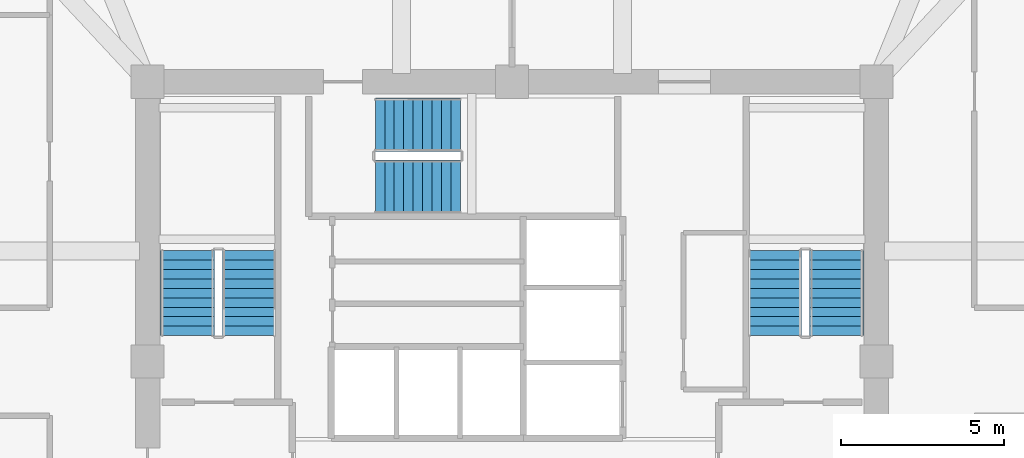
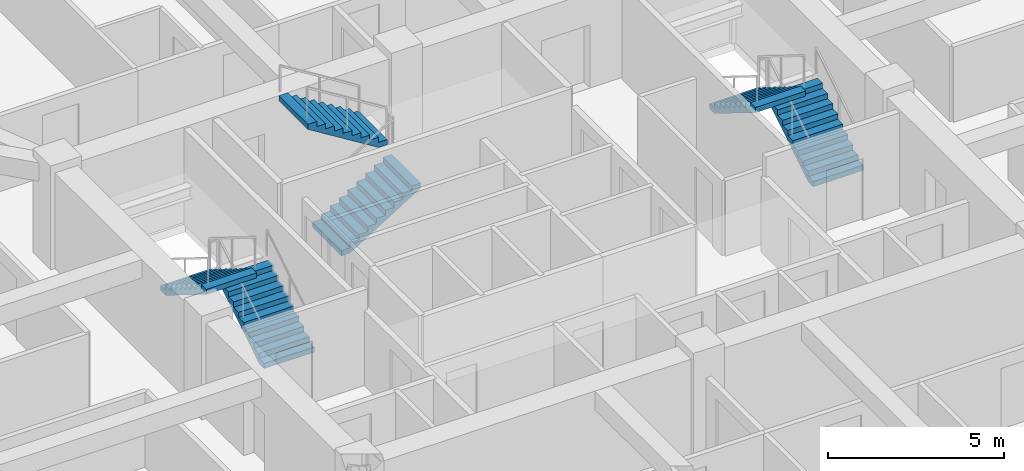
# One storey, part 11 of 13: 6 stair flights, 3 elements without a shape of their own.
"""IFC4 building model written with IfcOpenShell, lengths in metres."""

from ifc_helpers import new_model, si_unit, derived_unit, direction, frame, origin, place, context, subcontext, project, spatial, polyline, outline, extrude, material, type_object, element, aggregate, save


model = new_model("IFC4")

# Units and contexts
model_context = context("Model", 3, precision=1e-05, world=origin(), true_north=direction((0.0, 1.0)))
body_context = subcontext(model_context, "Body", "Model", "MODEL_VIEW")
ifc_project = project(units=[si_unit("LENGTHUNIT", "METRE"), si_unit("AREAUNIT", "SQUARE_METRE"), si_unit("VOLUMEUNIT", "CUBIC_METRE"), si_unit("PLANEANGLEUNIT", "RADIAN"), si_unit("MASSUNIT", "GRAM", prefix="KILO"), derived_unit("THERMALTRANSMITTANCEUNIT", [(si_unit("POWERUNIT", "WATT"), 1), (si_unit("LENGTHUNIT", "METRE"), -2), (si_unit("THERMODYNAMICTEMPERATUREUNIT", "KELVIN"), -1)])], contexts=[model_context])

# Site, building, storey
site_placement = place(None, origin())
site = spatial("IfcSite", under=ifc_project, at=site_placement, CompositionType="ELEMENT")
building_placement = place(site_placement, origin())
building = spatial("IfcBuilding", under=site, at=building_placement, Name="Koralith Skygarden Medical Center", CompositionType="ELEMENT")
storey_placement = place(building_placement, frame((0.0, 0.0, 142.02001953125)))
storey = spatial("IfcBuildingStorey", under=building, at=storey_placement, Name="L36", CompositionType="ELEMENT", Elevation=142.02001953125)

# Stair, stair flights
ifc_material = material(Name="Concrete C45/55", Category="concrete")
stair_type = type_object("IfcStairType", Name="Core Exit Dogleg Concrete Stair", PredefinedType="HALF_TURN_STAIR", material=ifc_material)
stair_1_placement = place(storey_placement, origin())
stair_1 = element("IfcStair", 1, at=stair_1_placement, inside=storey, type_object=stair_type, Name="L36 Smokeproof Exit Stair ST1", PredefinedType="HALF_TURN_STAIR")
stair_flight_type = type_object("IfcStairFlightType", Name="Core Exit Concrete Stair Flight 1650", PredefinedType="STRAIGHT", material=ifc_material)
stair_flight_1_placement = place(storey_placement, frame((28.925048828125, 26.699951171875, 0.0), z_axis=(0.0, 0.0, 1.0), x_axis=(0.0, 1.0, 0.0)))
stair_flight_1 = element("IfcStairFlight", 2, at=stair_flight_1_placement, type_object=stair_flight_type, Name="ST1 flight 1", NumberOfRisers=10, NumberOfTreads=9, PredefinedType="STRAIGHT", RiserHeight=0.18, TreadLength=0.29, context=body_context, shape_type="SweptSolid", body=[
    extrude(outline(polyline([(0.0, 0.0), (0.0, 0.179931640625), (0.2900390625, 0.179931640625), (0.2900390625, 0.360107421875), (0.580078125, 0.360107421875), (0.580078125, 0.5400390625), (0.8701171875, 0.5400390625), (0.8701171875, 0.719970703125), (1.159912109375, 0.719970703125), (1.159912109375, 0.89990234375), (1.449951171875, 0.89990234375), (1.449951171875, 1.080078125), (1.739990234375, 1.080078125), (1.739990234375, 1.260009765625), (2.030029296875, 1.260009765625), (2.030029296875, 1.43994140625), (2.320068359375, 1.43994140625), (2.320068359375, 1.6201171875), (2.610107421875, 1.6201171875), (2.610107421875, 1.800048828125), (2.610107421875, 1.443603515625), (0.2841796875, 0.0), (0.0, 0.0)])), frame((0.0, 0.824951171875, 0.0), z_axis=(0.0, -1.0, 0.0), x_axis=(1.0, 0.0, 0.0)), (0.0, 0.0, 1.0), 1.64990234375),
])
stair_flight_2_placement = place(storey_placement, frame((27.02490234375, 29.31005859375, 1.800048828125), z_axis=(0.0, 0.0, 1.0), x_axis=(0.0, -1.0, 0.0)))
stair_flight_2 = element("IfcStairFlight", 3, at=stair_flight_2_placement, type_object=stair_flight_type, Name="ST1 flight 2", NumberOfRisers=10, NumberOfTreads=9, PredefinedType="STRAIGHT", RiserHeight=0.18, TreadLength=0.29, context=body_context, shape_type="SweptSolid", body=[
    extrude(outline(polyline([(0.0, 0.0), (0.0, 0.179931640625), (0.2900390625, 0.179931640625), (0.2900390625, 0.360107421875), (0.580078125, 0.360107421875), (0.580078125, 0.5400390625), (0.8701171875, 0.5400390625), (0.8701171875, 0.719970703125), (1.159912109375, 0.719970703125), (1.159912109375, 0.89990234375), (1.449951171875, 0.89990234375), (1.449951171875, 1.080078125), (1.739990234375, 1.080078125), (1.739990234375, 1.260009765625), (2.030029296875, 1.260009765625), (2.030029296875, 1.43994140625), (2.320068359375, 1.43994140625), (2.320068359375, 1.6201171875), (2.610107421875, 1.6201171875), (2.610107421875, 1.800048828125), (2.610107421875, 1.443603515625), (0.2841796875, 0.0), (0.0, 0.0)])), frame((0.0, 0.824951171875, 0.0), z_axis=(0.0, -1.0, 0.0), x_axis=(1.0, 0.0, 0.0)), (0.0, 0.0, 1.0), 1.64990234375),
])
aggregate(stair_1, [stair_flight_1, stair_flight_2])

stair_2_placement = place(storey_placement, origin())
stair_2 = element("IfcStair", 4, at=stair_2_placement, inside=storey, type_object=stair_type, Name="L36 Smokeproof Exit Stair ST2", PredefinedType="HALF_TURN_STAIR")
stair_flight_3_placement = place(storey_placement, frame((46.97509765625, 26.699951171875, 0.0), z_axis=(0.0, 0.0, 1.0), x_axis=(0.0, 1.0, 0.0)))
stair_flight_3 = element("IfcStairFlight", 5, at=stair_flight_3_placement, type_object=stair_flight_type, Name="ST2 flight 1", NumberOfRisers=10, NumberOfTreads=9, PredefinedType="STRAIGHT", RiserHeight=0.18, TreadLength=0.29, context=body_context, shape_type="SweptSolid", body=[
    extrude(outline(polyline([(0.0, 0.0), (0.0, 0.179931640625), (0.2900390625, 0.179931640625), (0.2900390625, 0.360107421875), (0.580078125, 0.360107421875), (0.580078125, 0.5400390625), (0.8701171875, 0.5400390625), (0.8701171875, 0.719970703125), (1.159912109375, 0.719970703125), (1.159912109375, 0.89990234375), (1.449951171875, 0.89990234375), (1.449951171875, 1.080078125), (1.739990234375, 1.080078125), (1.739990234375, 1.260009765625), (2.030029296875, 1.260009765625), (2.030029296875, 1.43994140625), (2.320068359375, 1.43994140625), (2.320068359375, 1.6201171875), (2.610107421875, 1.6201171875), (2.610107421875, 1.800048828125), (2.610107421875, 1.443603515625), (0.2841796875, 0.0), (0.0, 0.0)])), frame((0.0, 0.824951171875, 0.0), z_axis=(0.0, -1.0, 0.0), x_axis=(1.0, 0.0, 0.0)), (0.0, 0.0, 1.0), 1.64990234375),
])
stair_flight_4_placement = place(storey_placement, frame((45.074951171875, 29.31005859375, 1.800048828125), z_axis=(0.0, 0.0, 1.0), x_axis=(0.0, -1.0, 0.0)))
stair_flight_4 = element("IfcStairFlight", 6, at=stair_flight_4_placement, type_object=stair_flight_type, Name="ST2 flight 2", NumberOfRisers=10, NumberOfTreads=9, PredefinedType="STRAIGHT", RiserHeight=0.18, TreadLength=0.29, context=body_context, shape_type="SweptSolid", body=[
    extrude(outline(polyline([(0.0, 0.0), (0.0, 0.179931640625), (0.2900390625, 0.179931640625), (0.2900390625, 0.360107421875), (0.580078125, 0.360107421875), (0.580078125, 0.5400390625), (0.8701171875, 0.5400390625), (0.8701171875, 0.719970703125), (1.159912109375, 0.719970703125), (1.159912109375, 0.89990234375), (1.449951171875, 0.89990234375), (1.449951171875, 1.080078125), (1.739990234375, 1.080078125), (1.739990234375, 1.260009765625), (2.030029296875, 1.260009765625), (2.030029296875, 1.43994140625), (2.320068359375, 1.43994140625), (2.320068359375, 1.6201171875), (2.610107421875, 1.6201171875), (2.610107421875, 1.800048828125), (2.610107421875, 1.443603515625), (0.2841796875, 0.0), (0.0, 0.0)])), frame((0.0, 0.824951171875, 0.0), z_axis=(0.0, -1.0, 0.0), x_axis=(1.0, 0.0, 0.0)), (0.0, 0.0, 1.0), 1.64990234375),
])
aggregate(stair_2, [stair_flight_3, stair_flight_4])

stair_3_placement = place(storey_placement, origin())
stair_3 = element("IfcStair", 7, at=stair_3_placement, inside=storey, type_object=stair_type, Name="L36 Smokeproof Exit Stair ST3", PredefinedType="HALF_TURN_STAIR")
stair_flight_5_placement = place(storey_placement, frame((32.800048828125, 31.27490234375, 0.0), z_axis=(0.0, 0.0, 1.0), x_axis=(1.0, 0.0, 0.0)))
stair_flight_5 = element("IfcStairFlight", 8, at=stair_flight_5_placement, type_object=stair_flight_type, Name="ST3 flight 1", NumberOfRisers=10, NumberOfTreads=9, PredefinedType="STRAIGHT", RiserHeight=0.18, TreadLength=0.29, context=body_context, shape_type="SweptSolid", body=[
    extrude(outline(polyline([(0.0, 0.0), (0.0, 0.179931640625), (0.2900390625, 0.179931640625), (0.2900390625, 0.360107421875), (0.580078125, 0.360107421875), (0.580078125, 0.5400390625), (0.8701171875, 0.5400390625), (0.8701171875, 0.719970703125), (1.159912109375, 0.719970703125), (1.159912109375, 0.89990234375), (1.449951171875, 0.89990234375), (1.449951171875, 1.080078125), (1.739990234375, 1.080078125), (1.739990234375, 1.260009765625), (2.030029296875, 1.260009765625), (2.030029296875, 1.43994140625), (2.320068359375, 1.43994140625), (2.320068359375, 1.6201171875), (2.610107421875, 1.6201171875), (2.610107421875, 1.800048828125), (2.610107421875, 1.443603515625), (0.2841796875, 0.0), (0.0, 0.0)])), frame((0.0, 0.824951171875, 0.0), z_axis=(0.0, -1.0, 0.0), x_axis=(1.0, 0.0, 0.0)), (0.0, 0.0, 1.0), 1.64990234375),
])
stair_flight_6_placement = place(storey_placement, frame((35.409912109375, 33.175048828125, 1.800048828125), z_axis=(0.0, 0.0, 1.0), x_axis=(-1.0, 0.0, 0.0)))
stair_flight_6 = element("IfcStairFlight", 9, at=stair_flight_6_placement, type_object=stair_flight_type, Name="ST3 flight 2", NumberOfRisers=10, NumberOfTreads=9, PredefinedType="STRAIGHT", RiserHeight=0.18, TreadLength=0.29, context=body_context, shape_type="SweptSolid", body=[
    extrude(outline(polyline([(0.0, 0.0), (0.0, 0.179931640625), (0.2900390625, 0.179931640625), (0.2900390625, 0.360107421875), (0.580078125, 0.360107421875), (0.580078125, 0.5400390625), (0.8701171875, 0.5400390625), (0.8701171875, 0.719970703125), (1.159912109375, 0.719970703125), (1.159912109375, 0.89990234375), (1.449951171875, 0.89990234375), (1.449951171875, 1.080078125), (1.739990234375, 1.080078125), (1.739990234375, 1.260009765625), (2.030029296875, 1.260009765625), (2.030029296875, 1.43994140625), (2.320068359375, 1.43994140625), (2.320068359375, 1.6201171875), (2.610107421875, 1.6201171875), (2.610107421875, 1.800048828125), (2.610107421875, 1.443603515625), (0.2841796875, 0.0), (0.0, 0.0)])), frame((0.0, 0.824951171875, 0.0), z_axis=(0.0, -1.0, 0.0), x_axis=(1.0, 0.0, 0.0)), (0.0, 0.0, 1.0), 1.64990234375),
])
aggregate(stair_3, [stair_flight_5, stair_flight_6])

save(model, "model.ifc")
